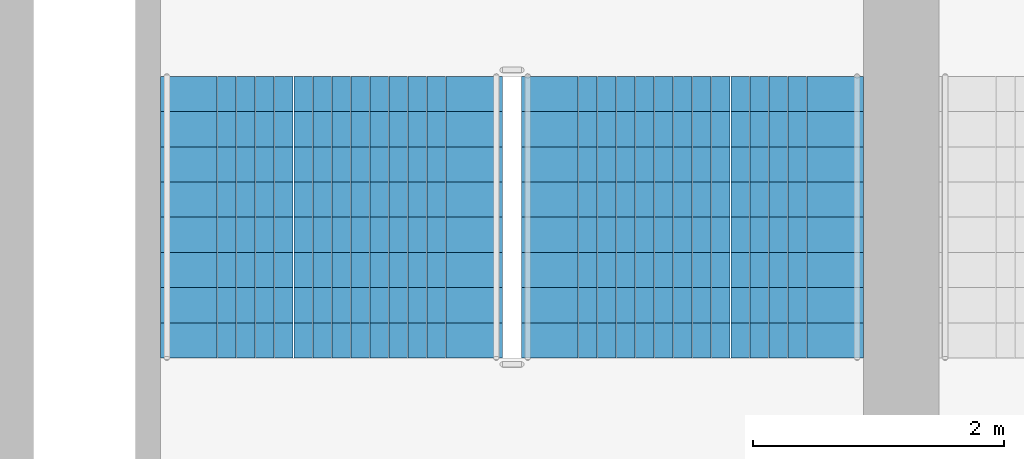
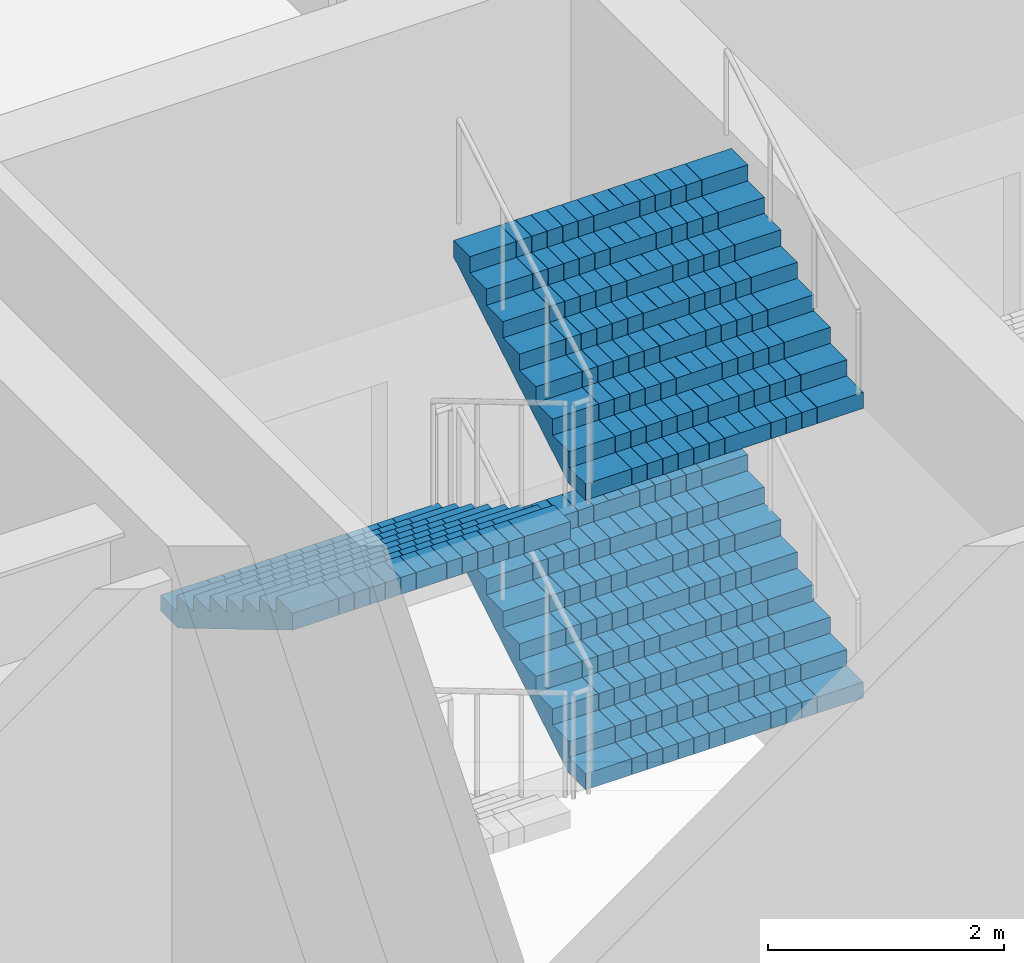
# One storey, part 40 of 61: 3 stair flights, 1 element without a shape of its own.
"""IFC4 building model written with IfcOpenShell, lengths in metres."""

from ifc_helpers import new_model, si_unit, direction, frame, origin, place, context, subcontext, project, spatial, polyline, outline, extrude, material, type_object, element, aggregate, save


model = new_model("IFC4")

# Units and contexts
model_context = context("Model", 3, precision=1e-05, world=origin(), true_north=direction((0.0, 1.0)))
body_context = subcontext(model_context, "Body", "Model", "MODEL_VIEW")
ifc_project = project(units=[si_unit("LENGTHUNIT", "METRE"), si_unit("AREAUNIT", "SQUARE_METRE"), si_unit("VOLUMEUNIT", "CUBIC_METRE"), si_unit("PLANEANGLEUNIT", "RADIAN"), si_unit("MASSUNIT", "GRAM", prefix="KILO")], contexts=[model_context])

# Site, building, storey
site_placement = place(None, origin())
site = spatial("IfcSite", under=ifc_project, at=site_placement, CompositionType="ELEMENT")
building_placement = place(site_placement, origin())
building = spatial("IfcBuilding", under=site, at=building_placement, Name="Corbelhall Arena Tower", CompositionType="ELEMENT")
storey_placement = place(building_placement, frame((0.0, 0.0, 31.0)))
storey = spatial("IfcBuildingStorey", under=building, at=storey_placement, Name="L04", CompositionType="ELEMENT", Elevation=31.0)

# Stair, stair flights
ifc_material = material(Name="Reinforced concrete C40/50", Category="concrete")
stair_type = type_object("IfcStairType", Name="AR-EXIT-STAIR", PredefinedType="HALF_TURN_STAIR", material=ifc_material)
stair_placement = place(storey_placement, origin())
stair = element("IfcStair", 1, at=stair_placement, inside=storey, type_object=stair_type, Name="L04 exit stair AS5", PredefinedType="HALF_TURN_STAIR")
stair_flight_type = type_object("IfcStairFlightType", Name="AR-EXIT-FLIGHT", PredefinedType="STRAIGHT", material=ifc_material)
stair_flight_1_placement = place(storey_placement, frame((38.840087890625, -29.56005859375, 1.5), z_axis=(0.0, 0.0, 1.0), x_axis=(0.0, 1.0, 0.0)))
stair_flight_1 = element("IfcStairFlight", 2, at=stair_flight_1_placement, type_object=stair_flight_type, Name="AS5 flight 2", NumberOfRisers=9, NumberOfTreads=8, PredefinedType="STRAIGHT", RiserHeight=0.166666667, TreadLength=0.28, context=body_context, shape_type="SweptSolid", body=[
    extrude(outline(polyline([(0.0, 0.0), (0.0, 0.166748046875), (0.280029296875, 0.166748046875), (0.280029296875, 0.333251953125), (0.56005859375, 0.333251953125), (0.56005859375, 0.5), (0.840087890625, 0.5), (0.840087890625, 0.666748046875), (1.1201171875, 0.666748046875), (1.1201171875, 0.833251953125), (1.39990234375, 0.833251953125), (1.39990234375, 1.0), (1.679931640625, 1.0), (1.679931640625, 1.166748046875), (1.9599609375, 1.166748046875), (1.9599609375, 1.333251953125), (2.239990234375, 1.333251953125), (2.239990234375, 1.5), (2.239990234375, 1.158935546875), (0.29296875, 0.0), (0.0, 0.0)])), frame((0.0, 1.35986328125, 0.0), z_axis=(0.0, -1.0, 0.0), x_axis=(1.0, 0.0, 0.0)), (0.0, 0.0, 1.0), 0.449951171875),
    extrude(outline(polyline([(0.0, 0.0), (0.0, 0.166748046875), (0.280029296875, 0.166748046875), (0.280029296875, 0.333251953125), (0.56005859375, 0.333251953125), (0.56005859375, 0.5), (0.840087890625, 0.5), (0.840087890625, 0.666748046875), (1.1201171875, 0.666748046875), (1.1201171875, 0.833251953125), (1.39990234375, 0.833251953125), (1.39990234375, 1.0), (1.679931640625, 1.0), (1.679931640625, 1.166748046875), (1.9599609375, 1.166748046875), (1.9599609375, 1.333251953125), (2.239990234375, 1.333251953125), (2.239990234375, 1.5), (2.239990234375, 1.158935546875), (0.29296875, 0.0), (0.0, 0.0)])), frame((0.0, 0.906005859375, 0.0), z_axis=(0.0, -1.0, 0.0), x_axis=(1.0, 0.0, 0.0)), (0.0, 0.0, 1.0), 0.147216796875),
    extrude(outline(polyline([(0.0, 0.0), (0.0, 0.166748046875), (0.280029296875, 0.166748046875), (0.280029296875, 0.333251953125), (0.56005859375, 0.333251953125), (0.56005859375, 0.5), (0.840087890625, 0.5), (0.840087890625, 0.666748046875), (1.1201171875, 0.666748046875), (1.1201171875, 0.833251953125), (1.39990234375, 0.833251953125), (1.39990234375, 1.0), (1.679931640625, 1.0), (1.679931640625, 1.166748046875), (1.9599609375, 1.166748046875), (1.9599609375, 1.333251953125), (2.239990234375, 1.333251953125), (2.239990234375, 1.5), (2.239990234375, 1.158935546875), (0.29296875, 0.0), (0.0, 0.0)])), frame((0.0, 0.754638671875, 0.0), z_axis=(0.0, -1.0, 0.0), x_axis=(1.0, 0.0, 0.0)), (0.0, 0.0, 1.0), 0.147216796875),
    extrude(outline(polyline([(0.0, 0.0), (0.0, 0.166748046875), (0.280029296875, 0.166748046875), (0.280029296875, 0.333251953125), (0.56005859375, 0.333251953125), (0.56005859375, 0.5), (0.840087890625, 0.5), (0.840087890625, 0.666748046875), (1.1201171875, 0.666748046875), (1.1201171875, 0.833251953125), (1.39990234375, 0.833251953125), (1.39990234375, 1.0), (1.679931640625, 1.0), (1.679931640625, 1.166748046875), (1.9599609375, 1.166748046875), (1.9599609375, 1.333251953125), (2.239990234375, 1.333251953125), (2.239990234375, 1.5), (2.239990234375, 1.158935546875), (0.29296875, 0.0), (0.0, 0.0)])), frame((0.0, 0.603271484375, 0.0), z_axis=(0.0, -1.0, 0.0), x_axis=(1.0, 0.0, 0.0)), (0.0, 0.0, 1.0), 0.147216796875),
    extrude(outline(polyline([(0.0, 0.0), (0.0, 0.166748046875), (0.280029296875, 0.166748046875), (0.280029296875, 0.333251953125), (0.56005859375, 0.333251953125), (0.56005859375, 0.5), (0.840087890625, 0.5), (0.840087890625, 0.666748046875), (1.1201171875, 0.666748046875), (1.1201171875, 0.833251953125), (1.39990234375, 0.833251953125), (1.39990234375, 1.0), (1.679931640625, 1.0), (1.679931640625, 1.166748046875), (1.9599609375, 1.166748046875), (1.9599609375, 1.333251953125), (2.239990234375, 1.333251953125), (2.239990234375, 1.5), (2.239990234375, 1.158935546875), (0.29296875, 0.0), (0.0, 0.0)])), frame((0.0, 0.451904296875, 0.0), z_axis=(0.0, -1.0, 0.0), x_axis=(1.0, 0.0, 0.0)), (0.0, 0.0, 1.0), 0.147216796875),
    extrude(outline(polyline([(0.0, 0.0), (0.0, 0.166748046875), (0.280029296875, 0.166748046875), (0.280029296875, 0.333251953125), (0.56005859375, 0.333251953125), (0.56005859375, 0.5), (0.840087890625, 0.5), (0.840087890625, 0.666748046875), (1.1201171875, 0.666748046875), (1.1201171875, 0.833251953125), (1.39990234375, 0.833251953125), (1.39990234375, 1.0), (1.679931640625, 1.0), (1.679931640625, 1.166748046875), (1.9599609375, 1.166748046875), (1.9599609375, 1.333251953125), (2.239990234375, 1.333251953125), (2.239990234375, 1.5), (2.239990234375, 1.158935546875), (0.29296875, 0.0), (0.0, 0.0)])), frame((0.0, 0.30078125, 0.0), z_axis=(0.0, -1.0, 0.0), x_axis=(1.0, 0.0, 0.0)), (0.0, 0.0, 1.0), 0.147216796875),
    extrude(outline(polyline([(0.0, 0.0), (0.0, 0.166748046875), (0.280029296875, 0.166748046875), (0.280029296875, 0.333251953125), (0.56005859375, 0.333251953125), (0.56005859375, 0.5), (0.840087890625, 0.5), (0.840087890625, 0.666748046875), (1.1201171875, 0.666748046875), (1.1201171875, 0.833251953125), (1.39990234375, 0.833251953125), (1.39990234375, 1.0), (1.679931640625, 1.0), (1.679931640625, 1.166748046875), (1.9599609375, 1.166748046875), (1.9599609375, 1.333251953125), (2.239990234375, 1.333251953125), (2.239990234375, 1.5), (2.239990234375, 1.158935546875), (0.29296875, 0.0), (0.0, 0.0)])), frame((0.0, 0.1494140625, 0.0), z_axis=(0.0, -1.0, 0.0), x_axis=(1.0, 0.0, 0.0)), (0.0, 0.0, 1.0), 0.147216796875),
    extrude(outline(polyline([(0.0, 0.0), (0.0, 0.166748046875), (0.280029296875, 0.166748046875), (0.280029296875, 0.333251953125), (0.56005859375, 0.333251953125), (0.56005859375, 0.5), (0.840087890625, 0.5), (0.840087890625, 0.666748046875), (1.1201171875, 0.666748046875), (1.1201171875, 0.833251953125), (1.39990234375, 0.833251953125), (1.39990234375, 1.0), (1.679931640625, 1.0), (1.679931640625, 1.166748046875), (1.9599609375, 1.166748046875), (1.9599609375, 1.333251953125), (2.239990234375, 1.333251953125), (2.239990234375, 1.5), (2.239990234375, 1.158935546875), (0.29296875, 0.0), (0.0, 0.0)])), frame((0.0, -0.001953125, 0.0), z_axis=(0.0, -1.0, 0.0), x_axis=(1.0, 0.0, 0.0)), (0.0, 0.0, 1.0), 0.147216796875),
    extrude(outline(polyline([(0.0, 0.0), (0.0, 0.166748046875), (0.280029296875, 0.166748046875), (0.280029296875, 0.333251953125), (0.56005859375, 0.333251953125), (0.56005859375, 0.5), (0.840087890625, 0.5), (0.840087890625, 0.666748046875), (1.1201171875, 0.666748046875), (1.1201171875, 0.833251953125), (1.39990234375, 0.833251953125), (1.39990234375, 1.0), (1.679931640625, 1.0), (1.679931640625, 1.166748046875), (1.9599609375, 1.166748046875), (1.9599609375, 1.333251953125), (2.239990234375, 1.333251953125), (2.239990234375, 1.5), (2.239990234375, 1.158935546875), (0.29296875, 0.0), (0.0, 0.0)])), frame((0.0, -0.1533203125, 0.0), z_axis=(0.0, -1.0, 0.0), x_axis=(1.0, 0.0, 0.0)), (0.0, 0.0, 1.0), 0.147216796875),
    extrude(outline(polyline([(0.0, 0.0), (0.0, 0.166748046875), (0.280029296875, 0.166748046875), (0.280029296875, 0.333251953125), (0.56005859375, 0.333251953125), (0.56005859375, 0.5), (0.840087890625, 0.5), (0.840087890625, 0.666748046875), (1.1201171875, 0.666748046875), (1.1201171875, 0.833251953125), (1.39990234375, 0.833251953125), (1.39990234375, 1.0), (1.679931640625, 1.0), (1.679931640625, 1.166748046875), (1.9599609375, 1.166748046875), (1.9599609375, 1.333251953125), (2.239990234375, 1.333251953125), (2.239990234375, 1.5), (2.239990234375, 1.158935546875), (0.29296875, 0.0), (0.0, 0.0)])), frame((0.0, -0.3046875, 0.0), z_axis=(0.0, -1.0, 0.0), x_axis=(1.0, 0.0, 0.0)), (0.0, 0.0, 1.0), 0.147216796875),
    extrude(outline(polyline([(0.0, 0.0), (0.0, 0.166748046875), (0.280029296875, 0.166748046875), (0.280029296875, 0.333251953125), (0.56005859375, 0.333251953125), (0.56005859375, 0.5), (0.840087890625, 0.5), (0.840087890625, 0.666748046875), (1.1201171875, 0.666748046875), (1.1201171875, 0.833251953125), (1.39990234375, 0.833251953125), (1.39990234375, 1.0), (1.679931640625, 1.0), (1.679931640625, 1.166748046875), (1.9599609375, 1.166748046875), (1.9599609375, 1.333251953125), (2.239990234375, 1.333251953125), (2.239990234375, 1.5), (2.239990234375, 1.158935546875), (0.29296875, 0.0), (0.0, 0.0)])), frame((0.0, -0.4560546875, 0.0), z_axis=(0.0, -1.0, 0.0), x_axis=(1.0, 0.0, 0.0)), (0.0, 0.0, 1.0), 0.147216796875),
    extrude(outline(polyline([(0.0, 0.0), (0.0, 0.166748046875), (0.280029296875, 0.166748046875), (0.280029296875, 0.333251953125), (0.56005859375, 0.333251953125), (0.56005859375, 0.5), (0.840087890625, 0.5), (0.840087890625, 0.666748046875), (1.1201171875, 0.666748046875), (1.1201171875, 0.833251953125), (1.39990234375, 0.833251953125), (1.39990234375, 1.0), (1.679931640625, 1.0), (1.679931640625, 1.166748046875), (1.9599609375, 1.166748046875), (1.9599609375, 1.333251953125), (2.239990234375, 1.333251953125), (2.239990234375, 1.5), (2.239990234375, 1.158935546875), (0.29296875, 0.0), (0.0, 0.0)])), frame((0.0, -0.607421875, 0.0), z_axis=(0.0, -1.0, 0.0), x_axis=(1.0, 0.0, 0.0)), (0.0, 0.0, 1.0), 0.147216796875),
    extrude(outline(polyline([(0.0, 0.0), (0.0, 0.166748046875), (0.280029296875, 0.166748046875), (0.280029296875, 0.333251953125), (0.56005859375, 0.333251953125), (0.56005859375, 0.5), (0.840087890625, 0.5), (0.840087890625, 0.666748046875), (1.1201171875, 0.666748046875), (1.1201171875, 0.833251953125), (1.39990234375, 0.833251953125), (1.39990234375, 1.0), (1.679931640625, 1.0), (1.679931640625, 1.166748046875), (1.9599609375, 1.166748046875), (1.9599609375, 1.333251953125), (2.239990234375, 1.333251953125), (2.239990234375, 1.5), (2.239990234375, 1.158935546875), (0.29296875, 0.0), (0.0, 0.0)])), frame((0.0, -0.758544921875, 0.0), z_axis=(0.0, -1.0, 0.0), x_axis=(1.0, 0.0, 0.0)), (0.0, 0.0, 1.0), 0.147216796875),
    extrude(outline(polyline([(0.0, 0.0), (0.0, 0.166748046875), (0.280029296875, 0.166748046875), (0.280029296875, 0.333251953125), (0.56005859375, 0.333251953125), (0.56005859375, 0.5), (0.840087890625, 0.5), (0.840087890625, 0.666748046875), (1.1201171875, 0.666748046875), (1.1201171875, 0.833251953125), (1.39990234375, 0.833251953125), (1.39990234375, 1.0), (1.679931640625, 1.0), (1.679931640625, 1.166748046875), (1.9599609375, 1.166748046875), (1.9599609375, 1.333251953125), (2.239990234375, 1.333251953125), (2.239990234375, 1.5), (2.239990234375, 1.158935546875), (0.29296875, 0.0), (0.0, 0.0)])), frame((0.0, -0.909912109375, 0.0), z_axis=(0.0, -1.0, 0.0), x_axis=(1.0, 0.0, 0.0)), (0.0, 0.0, 1.0), 0.449951171875),
])
stair_flight_2_placement = place(storey_placement, frame((35.969970703125, -27.320068359375, 3.0), z_axis=(0.0, 0.0, 1.0), x_axis=(0.0, -1.0, 0.0)))
stair_flight_2 = element("IfcStairFlight", 3, at=stair_flight_2_placement, type_object=stair_flight_type, Name="AS5 flight 3", NumberOfRisers=9, NumberOfTreads=8, PredefinedType="STRAIGHT", RiserHeight=0.166666667, TreadLength=0.28, context=body_context, shape_type="SweptSolid", body=[
    extrude(outline(polyline([(0.0, 0.0), (0.0, 0.166748046875), (0.280029296875, 0.166748046875), (0.280029296875, 0.333251953125), (0.56005859375, 0.333251953125), (0.56005859375, 0.5), (0.840087890625, 0.5), (0.840087890625, 0.666748046875), (1.1201171875, 0.666748046875), (1.1201171875, 0.833251953125), (1.39990234375, 0.833251953125), (1.39990234375, 1.0), (1.679931640625, 1.0), (1.679931640625, 1.166748046875), (1.9599609375, 1.166748046875), (1.9599609375, 1.333251953125), (2.239990234375, 1.333251953125), (2.239990234375, 1.5), (2.239990234375, 1.158935546875), (0.29296875, 0.0), (0.0, 0.0)])), frame((0.0, 1.35986328125, 0.0), z_axis=(0.0, -1.0, 0.0), x_axis=(1.0, 0.0, 0.0)), (0.0, 0.0, 1.0), 0.449951171875),
    extrude(outline(polyline([(0.0, 0.0), (0.0, 0.166748046875), (0.280029296875, 0.166748046875), (0.280029296875, 0.333251953125), (0.56005859375, 0.333251953125), (0.56005859375, 0.5), (0.840087890625, 0.5), (0.840087890625, 0.666748046875), (1.1201171875, 0.666748046875), (1.1201171875, 0.833251953125), (1.39990234375, 0.833251953125), (1.39990234375, 1.0), (1.679931640625, 1.0), (1.679931640625, 1.166748046875), (1.9599609375, 1.166748046875), (1.9599609375, 1.333251953125), (2.239990234375, 1.333251953125), (2.239990234375, 1.5), (2.239990234375, 1.158935546875), (0.29296875, 0.0), (0.0, 0.0)])), frame((0.0, 0.906005859375, 0.0), z_axis=(0.0, -1.0, 0.0), x_axis=(1.0, 0.0, 0.0)), (0.0, 0.0, 1.0), 0.147216796875),
    extrude(outline(polyline([(0.0, 0.0), (0.0, 0.166748046875), (0.280029296875, 0.166748046875), (0.280029296875, 0.333251953125), (0.56005859375, 0.333251953125), (0.56005859375, 0.5), (0.840087890625, 0.5), (0.840087890625, 0.666748046875), (1.1201171875, 0.666748046875), (1.1201171875, 0.833251953125), (1.39990234375, 0.833251953125), (1.39990234375, 1.0), (1.679931640625, 1.0), (1.679931640625, 1.166748046875), (1.9599609375, 1.166748046875), (1.9599609375, 1.333251953125), (2.239990234375, 1.333251953125), (2.239990234375, 1.5), (2.239990234375, 1.158935546875), (0.29296875, 0.0), (0.0, 0.0)])), frame((0.0, 0.754638671875, 0.0), z_axis=(0.0, -1.0, 0.0), x_axis=(1.0, 0.0, 0.0)), (0.0, 0.0, 1.0), 0.147216796875),
    extrude(outline(polyline([(0.0, 0.0), (0.0, 0.166748046875), (0.280029296875, 0.166748046875), (0.280029296875, 0.333251953125), (0.56005859375, 0.333251953125), (0.56005859375, 0.5), (0.840087890625, 0.5), (0.840087890625, 0.666748046875), (1.1201171875, 0.666748046875), (1.1201171875, 0.833251953125), (1.39990234375, 0.833251953125), (1.39990234375, 1.0), (1.679931640625, 1.0), (1.679931640625, 1.166748046875), (1.9599609375, 1.166748046875), (1.9599609375, 1.333251953125), (2.239990234375, 1.333251953125), (2.239990234375, 1.5), (2.239990234375, 1.158935546875), (0.29296875, 0.0), (0.0, 0.0)])), frame((0.0, 0.603271484375, 0.0), z_axis=(0.0, -1.0, 0.0), x_axis=(1.0, 0.0, 0.0)), (0.0, 0.0, 1.0), 0.147216796875),
    extrude(outline(polyline([(0.0, 0.0), (0.0, 0.166748046875), (0.280029296875, 0.166748046875), (0.280029296875, 0.333251953125), (0.56005859375, 0.333251953125), (0.56005859375, 0.5), (0.840087890625, 0.5), (0.840087890625, 0.666748046875), (1.1201171875, 0.666748046875), (1.1201171875, 0.833251953125), (1.39990234375, 0.833251953125), (1.39990234375, 1.0), (1.679931640625, 1.0), (1.679931640625, 1.166748046875), (1.9599609375, 1.166748046875), (1.9599609375, 1.333251953125), (2.239990234375, 1.333251953125), (2.239990234375, 1.5), (2.239990234375, 1.158935546875), (0.29296875, 0.0), (0.0, 0.0)])), frame((0.0, 0.451904296875, 0.0), z_axis=(0.0, -1.0, 0.0), x_axis=(1.0, 0.0, 0.0)), (0.0, 0.0, 1.0), 0.147216796875),
    extrude(outline(polyline([(0.0, 0.0), (0.0, 0.166748046875), (0.280029296875, 0.166748046875), (0.280029296875, 0.333251953125), (0.56005859375, 0.333251953125), (0.56005859375, 0.5), (0.840087890625, 0.5), (0.840087890625, 0.666748046875), (1.1201171875, 0.666748046875), (1.1201171875, 0.833251953125), (1.39990234375, 0.833251953125), (1.39990234375, 1.0), (1.679931640625, 1.0), (1.679931640625, 1.166748046875), (1.9599609375, 1.166748046875), (1.9599609375, 1.333251953125), (2.239990234375, 1.333251953125), (2.239990234375, 1.5), (2.239990234375, 1.158935546875), (0.29296875, 0.0), (0.0, 0.0)])), frame((0.0, 0.30078125, 0.0), z_axis=(0.0, -1.0, 0.0), x_axis=(1.0, 0.0, 0.0)), (0.0, 0.0, 1.0), 0.147216796875),
    extrude(outline(polyline([(0.0, 0.0), (0.0, 0.166748046875), (0.280029296875, 0.166748046875), (0.280029296875, 0.333251953125), (0.56005859375, 0.333251953125), (0.56005859375, 0.5), (0.840087890625, 0.5), (0.840087890625, 0.666748046875), (1.1201171875, 0.666748046875), (1.1201171875, 0.833251953125), (1.39990234375, 0.833251953125), (1.39990234375, 1.0), (1.679931640625, 1.0), (1.679931640625, 1.166748046875), (1.9599609375, 1.166748046875), (1.9599609375, 1.333251953125), (2.239990234375, 1.333251953125), (2.239990234375, 1.5), (2.239990234375, 1.158935546875), (0.29296875, 0.0), (0.0, 0.0)])), frame((0.0, 0.1494140625, 0.0), z_axis=(0.0, -1.0, 0.0), x_axis=(1.0, 0.0, 0.0)), (0.0, 0.0, 1.0), 0.147216796875),
    extrude(outline(polyline([(0.0, 0.0), (0.0, 0.166748046875), (0.280029296875, 0.166748046875), (0.280029296875, 0.333251953125), (0.56005859375, 0.333251953125), (0.56005859375, 0.5), (0.840087890625, 0.5), (0.840087890625, 0.666748046875), (1.1201171875, 0.666748046875), (1.1201171875, 0.833251953125), (1.39990234375, 0.833251953125), (1.39990234375, 1.0), (1.679931640625, 1.0), (1.679931640625, 1.166748046875), (1.9599609375, 1.166748046875), (1.9599609375, 1.333251953125), (2.239990234375, 1.333251953125), (2.239990234375, 1.5), (2.239990234375, 1.158935546875), (0.29296875, 0.0), (0.0, 0.0)])), frame((0.0, -0.001953125, 0.0), z_axis=(0.0, -1.0, 0.0), x_axis=(1.0, 0.0, 0.0)), (0.0, 0.0, 1.0), 0.147216796875),
    extrude(outline(polyline([(0.0, 0.0), (0.0, 0.166748046875), (0.280029296875, 0.166748046875), (0.280029296875, 0.333251953125), (0.56005859375, 0.333251953125), (0.56005859375, 0.5), (0.840087890625, 0.5), (0.840087890625, 0.666748046875), (1.1201171875, 0.666748046875), (1.1201171875, 0.833251953125), (1.39990234375, 0.833251953125), (1.39990234375, 1.0), (1.679931640625, 1.0), (1.679931640625, 1.166748046875), (1.9599609375, 1.166748046875), (1.9599609375, 1.333251953125), (2.239990234375, 1.333251953125), (2.239990234375, 1.5), (2.239990234375, 1.158935546875), (0.29296875, 0.0), (0.0, 0.0)])), frame((0.0, -0.1533203125, 0.0), z_axis=(0.0, -1.0, 0.0), x_axis=(1.0, 0.0, 0.0)), (0.0, 0.0, 1.0), 0.147216796875),
    extrude(outline(polyline([(0.0, 0.0), (0.0, 0.166748046875), (0.280029296875, 0.166748046875), (0.280029296875, 0.333251953125), (0.56005859375, 0.333251953125), (0.56005859375, 0.5), (0.840087890625, 0.5), (0.840087890625, 0.666748046875), (1.1201171875, 0.666748046875), (1.1201171875, 0.833251953125), (1.39990234375, 0.833251953125), (1.39990234375, 1.0), (1.679931640625, 1.0), (1.679931640625, 1.166748046875), (1.9599609375, 1.166748046875), (1.9599609375, 1.333251953125), (2.239990234375, 1.333251953125), (2.239990234375, 1.5), (2.239990234375, 1.158935546875), (0.29296875, 0.0), (0.0, 0.0)])), frame((0.0, -0.3046875, 0.0), z_axis=(0.0, -1.0, 0.0), x_axis=(1.0, 0.0, 0.0)), (0.0, 0.0, 1.0), 0.147216796875),
    extrude(outline(polyline([(0.0, 0.0), (0.0, 0.166748046875), (0.280029296875, 0.166748046875), (0.280029296875, 0.333251953125), (0.56005859375, 0.333251953125), (0.56005859375, 0.5), (0.840087890625, 0.5), (0.840087890625, 0.666748046875), (1.1201171875, 0.666748046875), (1.1201171875, 0.833251953125), (1.39990234375, 0.833251953125), (1.39990234375, 1.0), (1.679931640625, 1.0), (1.679931640625, 1.166748046875), (1.9599609375, 1.166748046875), (1.9599609375, 1.333251953125), (2.239990234375, 1.333251953125), (2.239990234375, 1.5), (2.239990234375, 1.158935546875), (0.29296875, 0.0), (0.0, 0.0)])), frame((0.0, -0.4560546875, 0.0), z_axis=(0.0, -1.0, 0.0), x_axis=(1.0, 0.0, 0.0)), (0.0, 0.0, 1.0), 0.147216796875),
    extrude(outline(polyline([(0.0, 0.0), (0.0, 0.166748046875), (0.280029296875, 0.166748046875), (0.280029296875, 0.333251953125), (0.56005859375, 0.333251953125), (0.56005859375, 0.5), (0.840087890625, 0.5), (0.840087890625, 0.666748046875), (1.1201171875, 0.666748046875), (1.1201171875, 0.833251953125), (1.39990234375, 0.833251953125), (1.39990234375, 1.0), (1.679931640625, 1.0), (1.679931640625, 1.166748046875), (1.9599609375, 1.166748046875), (1.9599609375, 1.333251953125), (2.239990234375, 1.333251953125), (2.239990234375, 1.5), (2.239990234375, 1.158935546875), (0.29296875, 0.0), (0.0, 0.0)])), frame((0.0, -0.607421875, 0.0), z_axis=(0.0, -1.0, 0.0), x_axis=(1.0, 0.0, 0.0)), (0.0, 0.0, 1.0), 0.147216796875),
    extrude(outline(polyline([(0.0, 0.0), (0.0, 0.166748046875), (0.280029296875, 0.166748046875), (0.280029296875, 0.333251953125), (0.56005859375, 0.333251953125), (0.56005859375, 0.5), (0.840087890625, 0.5), (0.840087890625, 0.666748046875), (1.1201171875, 0.666748046875), (1.1201171875, 0.833251953125), (1.39990234375, 0.833251953125), (1.39990234375, 1.0), (1.679931640625, 1.0), (1.679931640625, 1.166748046875), (1.9599609375, 1.166748046875), (1.9599609375, 1.333251953125), (2.239990234375, 1.333251953125), (2.239990234375, 1.5), (2.239990234375, 1.158935546875), (0.29296875, 0.0), (0.0, 0.0)])), frame((0.0, -0.758544921875, 0.0), z_axis=(0.0, -1.0, 0.0), x_axis=(1.0, 0.0, 0.0)), (0.0, 0.0, 1.0), 0.147216796875),
    extrude(outline(polyline([(0.0, 0.0), (0.0, 0.166748046875), (0.280029296875, 0.166748046875), (0.280029296875, 0.333251953125), (0.56005859375, 0.333251953125), (0.56005859375, 0.5), (0.840087890625, 0.5), (0.840087890625, 0.666748046875), (1.1201171875, 0.666748046875), (1.1201171875, 0.833251953125), (1.39990234375, 0.833251953125), (1.39990234375, 1.0), (1.679931640625, 1.0), (1.679931640625, 1.166748046875), (1.9599609375, 1.166748046875), (1.9599609375, 1.333251953125), (2.239990234375, 1.333251953125), (2.239990234375, 1.5), (2.239990234375, 1.158935546875), (0.29296875, 0.0), (0.0, 0.0)])), frame((0.0, -0.909912109375, 0.0), z_axis=(0.0, -1.0, 0.0), x_axis=(1.0, 0.0, 0.0)), (0.0, 0.0, 1.0), 0.449951171875),
])
stair_flight_3_placement = place(storey_placement, frame((38.840087890625, -29.56005859375, 4.5), z_axis=(0.0, 0.0, 1.0), x_axis=(0.0, 1.0, 0.0)))
stair_flight_3 = element("IfcStairFlight", 4, at=stair_flight_3_placement, type_object=stair_flight_type, Name="AS5 flight 4", NumberOfRisers=9, NumberOfTreads=8, PredefinedType="STRAIGHT", RiserHeight=0.166666667, TreadLength=0.28, context=body_context, shape_type="SweptSolid", body=[
    extrude(outline(polyline([(0.0, 0.0), (0.0, 0.166748046875), (0.280029296875, 0.166748046875), (0.280029296875, 0.333251953125), (0.56005859375, 0.333251953125), (0.56005859375, 0.5), (0.840087890625, 0.5), (0.840087890625, 0.666748046875), (1.1201171875, 0.666748046875), (1.1201171875, 0.833251953125), (1.39990234375, 0.833251953125), (1.39990234375, 1.0), (1.679931640625, 1.0), (1.679931640625, 1.166748046875), (1.9599609375, 1.166748046875), (1.9599609375, 1.333251953125), (2.239990234375, 1.333251953125), (2.239990234375, 1.5), (2.239990234375, 1.158935546875), (0.29296875, 0.0), (0.0, 0.0)])), frame((0.0, 1.35986328125, 0.0), z_axis=(0.0, -1.0, 0.0), x_axis=(1.0, 0.0, 0.0)), (0.0, 0.0, 1.0), 0.449951171875),
    extrude(outline(polyline([(0.0, 0.0), (0.0, 0.166748046875), (0.280029296875, 0.166748046875), (0.280029296875, 0.333251953125), (0.56005859375, 0.333251953125), (0.56005859375, 0.5), (0.840087890625, 0.5), (0.840087890625, 0.666748046875), (1.1201171875, 0.666748046875), (1.1201171875, 0.833251953125), (1.39990234375, 0.833251953125), (1.39990234375, 1.0), (1.679931640625, 1.0), (1.679931640625, 1.166748046875), (1.9599609375, 1.166748046875), (1.9599609375, 1.333251953125), (2.239990234375, 1.333251953125), (2.239990234375, 1.5), (2.239990234375, 1.158935546875), (0.29296875, 0.0), (0.0, 0.0)])), frame((0.0, 0.906005859375, 0.0), z_axis=(0.0, -1.0, 0.0), x_axis=(1.0, 0.0, 0.0)), (0.0, 0.0, 1.0), 0.147216796875),
    extrude(outline(polyline([(0.0, 0.0), (0.0, 0.166748046875), (0.280029296875, 0.166748046875), (0.280029296875, 0.333251953125), (0.56005859375, 0.333251953125), (0.56005859375, 0.5), (0.840087890625, 0.5), (0.840087890625, 0.666748046875), (1.1201171875, 0.666748046875), (1.1201171875, 0.833251953125), (1.39990234375, 0.833251953125), (1.39990234375, 1.0), (1.679931640625, 1.0), (1.679931640625, 1.166748046875), (1.9599609375, 1.166748046875), (1.9599609375, 1.333251953125), (2.239990234375, 1.333251953125), (2.239990234375, 1.5), (2.239990234375, 1.158935546875), (0.29296875, 0.0), (0.0, 0.0)])), frame((0.0, 0.754638671875, 0.0), z_axis=(0.0, -1.0, 0.0), x_axis=(1.0, 0.0, 0.0)), (0.0, 0.0, 1.0), 0.147216796875),
    extrude(outline(polyline([(0.0, 0.0), (0.0, 0.166748046875), (0.280029296875, 0.166748046875), (0.280029296875, 0.333251953125), (0.56005859375, 0.333251953125), (0.56005859375, 0.5), (0.840087890625, 0.5), (0.840087890625, 0.666748046875), (1.1201171875, 0.666748046875), (1.1201171875, 0.833251953125), (1.39990234375, 0.833251953125), (1.39990234375, 1.0), (1.679931640625, 1.0), (1.679931640625, 1.166748046875), (1.9599609375, 1.166748046875), (1.9599609375, 1.333251953125), (2.239990234375, 1.333251953125), (2.239990234375, 1.5), (2.239990234375, 1.158935546875), (0.29296875, 0.0), (0.0, 0.0)])), frame((0.0, 0.603271484375, 0.0), z_axis=(0.0, -1.0, 0.0), x_axis=(1.0, 0.0, 0.0)), (0.0, 0.0, 1.0), 0.147216796875),
    extrude(outline(polyline([(0.0, 0.0), (0.0, 0.166748046875), (0.280029296875, 0.166748046875), (0.280029296875, 0.333251953125), (0.56005859375, 0.333251953125), (0.56005859375, 0.5), (0.840087890625, 0.5), (0.840087890625, 0.666748046875), (1.1201171875, 0.666748046875), (1.1201171875, 0.833251953125), (1.39990234375, 0.833251953125), (1.39990234375, 1.0), (1.679931640625, 1.0), (1.679931640625, 1.166748046875), (1.9599609375, 1.166748046875), (1.9599609375, 1.333251953125), (2.239990234375, 1.333251953125), (2.239990234375, 1.5), (2.239990234375, 1.158935546875), (0.29296875, 0.0), (0.0, 0.0)])), frame((0.0, 0.451904296875, 0.0), z_axis=(0.0, -1.0, 0.0), x_axis=(1.0, 0.0, 0.0)), (0.0, 0.0, 1.0), 0.147216796875),
    extrude(outline(polyline([(0.0, 0.0), (0.0, 0.166748046875), (0.280029296875, 0.166748046875), (0.280029296875, 0.333251953125), (0.56005859375, 0.333251953125), (0.56005859375, 0.5), (0.840087890625, 0.5), (0.840087890625, 0.666748046875), (1.1201171875, 0.666748046875), (1.1201171875, 0.833251953125), (1.39990234375, 0.833251953125), (1.39990234375, 1.0), (1.679931640625, 1.0), (1.679931640625, 1.166748046875), (1.9599609375, 1.166748046875), (1.9599609375, 1.333251953125), (2.239990234375, 1.333251953125), (2.239990234375, 1.5), (2.239990234375, 1.158935546875), (0.29296875, 0.0), (0.0, 0.0)])), frame((0.0, 0.30078125, 0.0), z_axis=(0.0, -1.0, 0.0), x_axis=(1.0, 0.0, 0.0)), (0.0, 0.0, 1.0), 0.147216796875),
    extrude(outline(polyline([(0.0, 0.0), (0.0, 0.166748046875), (0.280029296875, 0.166748046875), (0.280029296875, 0.333251953125), (0.56005859375, 0.333251953125), (0.56005859375, 0.5), (0.840087890625, 0.5), (0.840087890625, 0.666748046875), (1.1201171875, 0.666748046875), (1.1201171875, 0.833251953125), (1.39990234375, 0.833251953125), (1.39990234375, 1.0), (1.679931640625, 1.0), (1.679931640625, 1.166748046875), (1.9599609375, 1.166748046875), (1.9599609375, 1.333251953125), (2.239990234375, 1.333251953125), (2.239990234375, 1.5), (2.239990234375, 1.158935546875), (0.29296875, 0.0), (0.0, 0.0)])), frame((0.0, 0.1494140625, 0.0), z_axis=(0.0, -1.0, 0.0), x_axis=(1.0, 0.0, 0.0)), (0.0, 0.0, 1.0), 0.147216796875),
    extrude(outline(polyline([(0.0, 0.0), (0.0, 0.166748046875), (0.280029296875, 0.166748046875), (0.280029296875, 0.333251953125), (0.56005859375, 0.333251953125), (0.56005859375, 0.5), (0.840087890625, 0.5), (0.840087890625, 0.666748046875), (1.1201171875, 0.666748046875), (1.1201171875, 0.833251953125), (1.39990234375, 0.833251953125), (1.39990234375, 1.0), (1.679931640625, 1.0), (1.679931640625, 1.166748046875), (1.9599609375, 1.166748046875), (1.9599609375, 1.333251953125), (2.239990234375, 1.333251953125), (2.239990234375, 1.5), (2.239990234375, 1.158935546875), (0.29296875, 0.0), (0.0, 0.0)])), frame((0.0, -0.001953125, 0.0), z_axis=(0.0, -1.0, 0.0), x_axis=(1.0, 0.0, 0.0)), (0.0, 0.0, 1.0), 0.147216796875),
    extrude(outline(polyline([(0.0, 0.0), (0.0, 0.166748046875), (0.280029296875, 0.166748046875), (0.280029296875, 0.333251953125), (0.56005859375, 0.333251953125), (0.56005859375, 0.5), (0.840087890625, 0.5), (0.840087890625, 0.666748046875), (1.1201171875, 0.666748046875), (1.1201171875, 0.833251953125), (1.39990234375, 0.833251953125), (1.39990234375, 1.0), (1.679931640625, 1.0), (1.679931640625, 1.166748046875), (1.9599609375, 1.166748046875), (1.9599609375, 1.333251953125), (2.239990234375, 1.333251953125), (2.239990234375, 1.5), (2.239990234375, 1.158935546875), (0.29296875, 0.0), (0.0, 0.0)])), frame((0.0, -0.1533203125, 0.0), z_axis=(0.0, -1.0, 0.0), x_axis=(1.0, 0.0, 0.0)), (0.0, 0.0, 1.0), 0.147216796875),
    extrude(outline(polyline([(0.0, 0.0), (0.0, 0.166748046875), (0.280029296875, 0.166748046875), (0.280029296875, 0.333251953125), (0.56005859375, 0.333251953125), (0.56005859375, 0.5), (0.840087890625, 0.5), (0.840087890625, 0.666748046875), (1.1201171875, 0.666748046875), (1.1201171875, 0.833251953125), (1.39990234375, 0.833251953125), (1.39990234375, 1.0), (1.679931640625, 1.0), (1.679931640625, 1.166748046875), (1.9599609375, 1.166748046875), (1.9599609375, 1.333251953125), (2.239990234375, 1.333251953125), (2.239990234375, 1.5), (2.239990234375, 1.158935546875), (0.29296875, 0.0), (0.0, 0.0)])), frame((0.0, -0.3046875, 0.0), z_axis=(0.0, -1.0, 0.0), x_axis=(1.0, 0.0, 0.0)), (0.0, 0.0, 1.0), 0.147216796875),
    extrude(outline(polyline([(0.0, 0.0), (0.0, 0.166748046875), (0.280029296875, 0.166748046875), (0.280029296875, 0.333251953125), (0.56005859375, 0.333251953125), (0.56005859375, 0.5), (0.840087890625, 0.5), (0.840087890625, 0.666748046875), (1.1201171875, 0.666748046875), (1.1201171875, 0.833251953125), (1.39990234375, 0.833251953125), (1.39990234375, 1.0), (1.679931640625, 1.0), (1.679931640625, 1.166748046875), (1.9599609375, 1.166748046875), (1.9599609375, 1.333251953125), (2.239990234375, 1.333251953125), (2.239990234375, 1.5), (2.239990234375, 1.158935546875), (0.29296875, 0.0), (0.0, 0.0)])), frame((0.0, -0.4560546875, 0.0), z_axis=(0.0, -1.0, 0.0), x_axis=(1.0, 0.0, 0.0)), (0.0, 0.0, 1.0), 0.147216796875),
    extrude(outline(polyline([(0.0, 0.0), (0.0, 0.166748046875), (0.280029296875, 0.166748046875), (0.280029296875, 0.333251953125), (0.56005859375, 0.333251953125), (0.56005859375, 0.5), (0.840087890625, 0.5), (0.840087890625, 0.666748046875), (1.1201171875, 0.666748046875), (1.1201171875, 0.833251953125), (1.39990234375, 0.833251953125), (1.39990234375, 1.0), (1.679931640625, 1.0), (1.679931640625, 1.166748046875), (1.9599609375, 1.166748046875), (1.9599609375, 1.333251953125), (2.239990234375, 1.333251953125), (2.239990234375, 1.5), (2.239990234375, 1.158935546875), (0.29296875, 0.0), (0.0, 0.0)])), frame((0.0, -0.607421875, 0.0), z_axis=(0.0, -1.0, 0.0), x_axis=(1.0, 0.0, 0.0)), (0.0, 0.0, 1.0), 0.147216796875),
    extrude(outline(polyline([(0.0, 0.0), (0.0, 0.166748046875), (0.280029296875, 0.166748046875), (0.280029296875, 0.333251953125), (0.56005859375, 0.333251953125), (0.56005859375, 0.5), (0.840087890625, 0.5), (0.840087890625, 0.666748046875), (1.1201171875, 0.666748046875), (1.1201171875, 0.833251953125), (1.39990234375, 0.833251953125), (1.39990234375, 1.0), (1.679931640625, 1.0), (1.679931640625, 1.166748046875), (1.9599609375, 1.166748046875), (1.9599609375, 1.333251953125), (2.239990234375, 1.333251953125), (2.239990234375, 1.5), (2.239990234375, 1.158935546875), (0.29296875, 0.0), (0.0, 0.0)])), frame((0.0, -0.758544921875, 0.0), z_axis=(0.0, -1.0, 0.0), x_axis=(1.0, 0.0, 0.0)), (0.0, 0.0, 1.0), 0.147216796875),
    extrude(outline(polyline([(0.0, 0.0), (0.0, 0.166748046875), (0.280029296875, 0.166748046875), (0.280029296875, 0.333251953125), (0.56005859375, 0.333251953125), (0.56005859375, 0.5), (0.840087890625, 0.5), (0.840087890625, 0.666748046875), (1.1201171875, 0.666748046875), (1.1201171875, 0.833251953125), (1.39990234375, 0.833251953125), (1.39990234375, 1.0), (1.679931640625, 1.0), (1.679931640625, 1.166748046875), (1.9599609375, 1.166748046875), (1.9599609375, 1.333251953125), (2.239990234375, 1.333251953125), (2.239990234375, 1.5), (2.239990234375, 1.158935546875), (0.29296875, 0.0), (0.0, 0.0)])), frame((0.0, -0.909912109375, 0.0), z_axis=(0.0, -1.0, 0.0), x_axis=(1.0, 0.0, 0.0)), (0.0, 0.0, 1.0), 0.449951171875),
])
aggregate(stair, [stair_flight_1, stair_flight_2, stair_flight_3])

save(model, "model.ifc")
